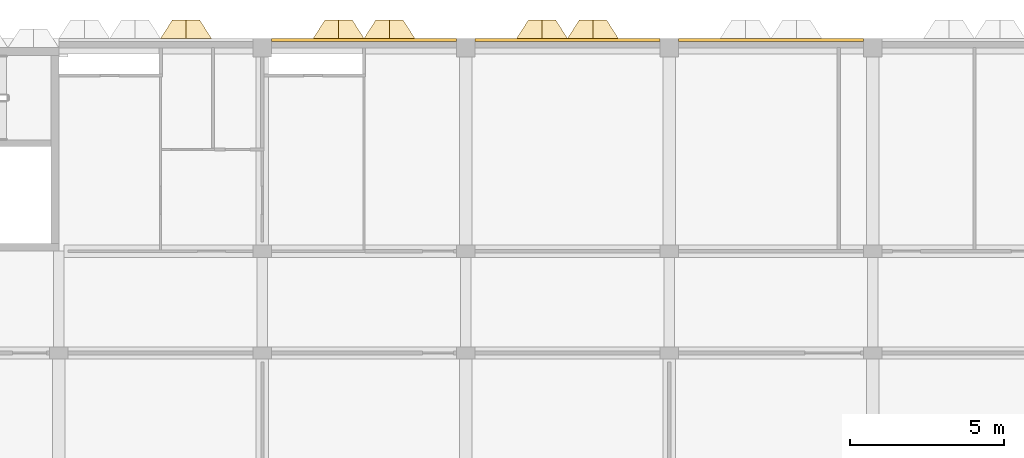
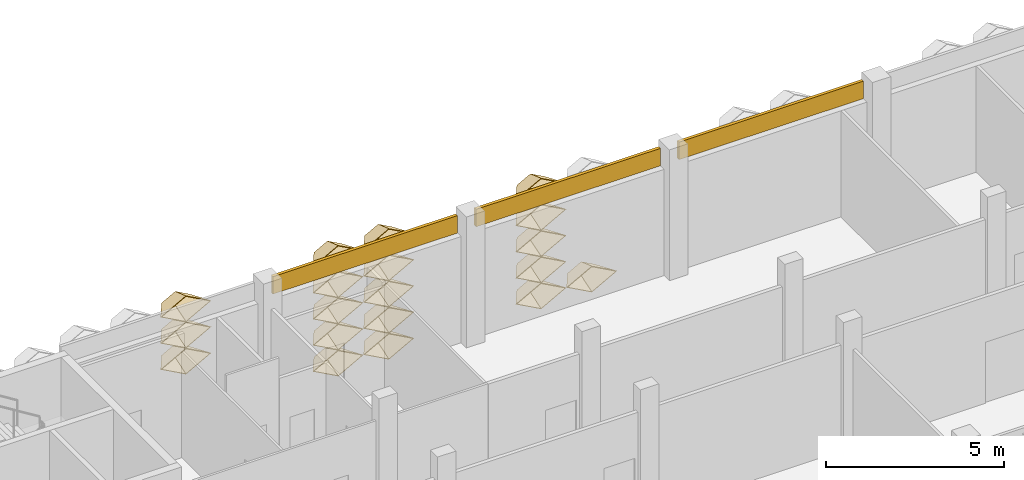
# One storey, part 92 of 109: 22 coverings.
"""IFC4 building model written with IfcOpenShell, lengths in metres."""

import ifcopenshell
import ifcopenshell.guid

model = None  # the IFC model being written
_history = None  # IfcOwnerHistory: only IFC2X3 demands one
_inside = {}  # id of a spatial element -> (the spatial element, [elements in it])
_under = {}  # id of a project, library or spatial element -> (it, [spatial elements below it])
_declared = {}  # id of a project -> (the project, [libraries it declares])
_typed = {}  # id of a type object -> (the type object, [elements of that type])
_made_of = {}  # id of a material, layer set ... -> (it, [elements and type objects made of it])


def new_model(schema):
    """Start an empty IFC model of exactly this schema.

    Asked for "IFC4X3", IfcOpenShell would pick the latest addendum, in which some entities
    have other attributes; the version numbers below select the first issue.
    IFC2X3 requires an IfcOwnerHistory on every rooted entity: one is made here for all.
    """
    global model, _history
    if schema == "IFC4X3":
        model = ifcopenshell.file(schema_version=(4, 3, 0, 0))
    else:
        model = ifcopenshell.file(schema=schema)
    _inside.clear()
    _under.clear()
    _declared.clear()
    _typed.clear()
    _made_of.clear()
    _history = None
    if model.schema == "IFC2X3":
        org = make("IfcOrganization", Name="unknown")
        user = make(
            "IfcPersonAndOrganization",
            ThePerson=make("IfcPerson", FamilyName="unknown"),
            TheOrganization=org,
        )
        app = make(
            "IfcApplication",
            ApplicationDeveloper=org,
            Version="unknown",
            ApplicationFullName="unknown",
            ApplicationIdentifier="unknown",
        )
        _history = make(
            "IfcOwnerHistory",
            OwningUser=user,
            OwningApplication=app,
            ChangeAction="ADDED",
            CreationDate=0,
        )
    return model


def make(cls, **values):
    """One entity of the class cls with the attributes given. An attribute that is None is left unset."""
    return model.create_entity(
        cls, **{name: value for name, value in values.items() if value is not None}
    )


def entity(cls, *values):
    """Any entity or typed value of the class cls, its attributes in the order of the schema. None: left unset."""
    e = model.create_entity(cls)
    for i, value in enumerate(values):
        if value is not None:
            e[i] = value
    return e


def rooted(cls, **values):
    """An entity with a GlobalId (a new one), such as an element, a storey or a relation."""
    return make(cls, GlobalId=ifcopenshell.guid.new(), OwnerHistory=_history, **values)


def si_unit(unit_type, name, prefix=None):
    """IfcSIUnit, for example si_unit("LENGTHUNIT", "METRE", prefix="MILLI")."""
    return make("IfcSIUnit", UnitType=unit_type, Prefix=prefix, Name=name)


def assignment(units):
    """IfcUnitAssignment: the units of a project."""
    return None if units is None else make("IfcUnitAssignment", Units=units)


def point(xyz):
    """IfcCartesianPoint."""
    return None if xyz is None else make("IfcCartesianPoint", Coordinates=xyz)


def direction(xyz):
    """IfcDirection."""
    return None if xyz is None else make("IfcDirection", DirectionRatios=xyz)


def frame(location, z_axis=None, x_axis=None):
    """IfcAxis2Placement3D, a coordinate frame: its origin and axes. An axis left out is left unset."""
    return make(
        "IfcAxis2Placement3D",
        Location=point(location),
        Axis=direction(z_axis),
        RefDirection=direction(x_axis),
    )


def frame_2d(location, x_axis=None):
    """IfcAxis2Placement2D, a coordinate frame in the plane: its origin and x axis."""
    return make(
        "IfcAxis2Placement2D", Location=point(location), RefDirection=direction(x_axis)
    )


def origin():
    """The frame at (0, 0, 0) with its axes left unset."""
    return frame((0.0, 0.0, 0.0))


def place(relative_to, where):
    """IfcLocalPlacement: puts the frame where relative to a parent placement (None: the world)."""
    return make(
        "IfcLocalPlacement", PlacementRelTo=relative_to, RelativePlacement=where
    )


def context(
    kind, dimensions, precision=None, world=None, true_north=None, identifier=None
):
    """IfcGeometricRepresentationContext, for example the 3D "Model" context."""
    return make(
        "IfcGeometricRepresentationContext",
        ContextIdentifier=identifier,
        ContextType=kind,
        CoordinateSpaceDimension=dimensions,
        Precision=precision,
        WorldCoordinateSystem=world,
        TrueNorth=true_north,
    )


def subcontext(parent, identifier, kind, view, scale=None):
    """IfcGeometricRepresentationSubContext, for example "Body" below "Model"."""
    return make(
        "IfcGeometricRepresentationSubContext",
        ContextIdentifier=identifier,
        ContextType=kind,
        ParentContext=parent,
        TargetScale=scale,
        TargetView=view,
    )


def project(units=None, contexts=None):
    """IfcProject with its units and contexts."""
    return rooted(
        "IfcProject",
        Name="project",
        RepresentationContexts=contexts,
        UnitsInContext=assignment(units),
    )


def spatial(cls, under=None, at=None, **own):
    """A site, building, storey or space (cls), placed at a placement, below another one or the project."""
    s = rooted(cls, ObjectPlacement=at, **own)
    if under is not None:
        _under.setdefault(under.id(), (under, []))[1].append(s)
    return s


def profile(cls, at=None, kind="AREA", **sizes):
    """A parametric profile (cls). Its sizes go by their IFC names, for example OverallWidth=200.0."""
    return make(cls, ProfileType=kind, Position=at, **sizes)


def rectangle(**sizes):
    """IfcRectangleProfileDef."""
    return profile("IfcRectangleProfileDef", **sizes)


def extrude(swept, where, along, depth):
    """IfcExtrudedAreaSolid: the profile swept, set in the frame where, extruded along a direction by depth."""
    return make(
        "IfcExtrudedAreaSolid",
        SweptArea=swept,
        Position=where,
        ExtrudedDirection=direction(along),
        Depth=depth,
    )


def shape(context_of_items, identifier, shape_type, items):
    """IfcShapeRepresentation: the items that make up one representation, for example the "Body"."""
    return make(
        "IfcShapeRepresentation",
        ContextOfItems=context_of_items,
        RepresentationIdentifier=identifier,
        RepresentationType=shape_type,
        Items=items,
    )


def material(Name=None, Category=None):
    """IfcMaterial."""
    return make("IfcMaterial", Name=Name, Category=Category)


def layer(
    of_material, thickness, ventilated=None, Name=None, Category=None, Priority=None
):
    """IfcMaterialLayer: one layer of a wall or slab, of a material (None: an air gap)."""
    return make(
        "IfcMaterialLayer",
        Material=of_material,
        LayerThickness=thickness,
        IsVentilated=ventilated,
        Name=Name,
        Category=Category,
        Priority=Priority,
    )


def layer_set(layers, Name=None):
    """IfcMaterialLayerSet."""
    return make("IfcMaterialLayerSet", MaterialLayers=layers, LayerSetName=Name)


def made_of(thing, what):
    """Note that an element or type object is made of a material, layer set ...; save() writes the relation."""
    if what is not None:
        _made_of.setdefault(what.id(), (what, []))[1].append(thing)
    return thing


def type_object(cls, material=None, **own):
    """A type object (cls), such as IfcWallType, which elements share."""
    return made_of(rooted(cls, **own), material)


def element(
    cls,
    number,
    at=None,
    inside=None,
    cuts=None,
    type_object=None,
    material=None,
    context=None,
    identifier="Body",
    shape_type=None,
    held_by="IfcProductDefinitionShape",
    body=None,
    shapes=None,
    **own,
):
    """One element of the class cls, such as IfcWall. Its Tag is "e" and its number.

    at: its placement. inside: the storey or other place that contains it. cuts: it is an
    opening in that element (IfcRelVoidsElement). A single representation is given by context,
    identifier, shape_type and body (its items); several are given by shapes. held_by: the class
    of the entity that holds the representations. save() writes the other relations.
    """
    e = rooted(cls, Tag="e%d" % number, ObjectPlacement=at, **own)
    if body is not None:
        shapes = [shape(context, identifier, shape_type, body)]
    if shapes is not None:
        e.Representation = make(held_by, Representations=shapes)
    if inside is not None:
        _inside.setdefault(inside.id(), (inside, []))[1].append(e)
    if cuts is not None:
        rooted(
            "IfcRelVoidsElement", RelatingBuildingElement=cuts, RelatedOpeningElement=e
        )
    if type_object is not None:
        _typed.setdefault(type_object.id(), (type_object, []))[1].append(e)
    return made_of(e, material)


def aggregate(whole, parts):
    """IfcRelAggregates: a whole, such as a stair, and the parts it consists of."""
    return rooted("IfcRelAggregates", RelatingObject=whole, RelatedObjects=parts)


def save(model, path):
    """Write the relations noted so far, then the file.

    IfcRelAggregates (storeys below a building ...), IfcRelContainedInSpatialStructure (elements
    in a storey), IfcRelDefinesByType, IfcRelAssociatesMaterial and IfcRelDeclares: one each for
    every whole, place, type object, material and project.
    """
    for whole, parts in _under.values():
        aggregate(whole, parts)
    for where, things in _inside.values():
        rooted(
            "IfcRelContainedInSpatialStructure",
            RelatedElements=things,
            RelatingStructure=where,
        )
    for kind, things in _typed.values():
        rooted("IfcRelDefinesByType", RelatedObjects=things, RelatingType=kind)
    for what, things in _made_of.values():
        rooted("IfcRelAssociatesMaterial", RelatedObjects=things, RelatingMaterial=what)
    for by, libraries in _declared.values():
        rooted("IfcRelDeclares", RelatingContext=by, RelatedDefinitions=libraries)
    model.write(path)


model = new_model("IFC4")

# Units and contexts
model_context = context("Model", 3, precision=1e-05, world=origin(), true_north=direction((0.0, 1.0)))
body_context = subcontext(model_context, "Body", "Model", "MODEL_VIEW")
ifc_project = project(units=[si_unit("LENGTHUNIT", "METRE"), si_unit("AREAUNIT", "SQUARE_METRE"), si_unit("VOLUMEUNIT", "CUBIC_METRE"), si_unit("PLANEANGLEUNIT", "RADIAN"), si_unit("MASSUNIT", "GRAM", prefix="KILO")], contexts=[model_context])

# Site, building, storey
site_placement = place(None, origin())
site = spatial("IfcSite", under=ifc_project, at=site_placement, CompositionType="ELEMENT")
building_placement = place(site_placement, origin())
building = spatial("IfcBuilding", under=site, at=building_placement, Name="Lantern Court Research Institute", CompositionType="ELEMENT")
storey_placement = place(building_placement, frame((0.0, 0.0, 14.39990234375)))
storey = spatial("IfcBuildingStorey", under=building, at=storey_placement, Name="L03", CompositionType="ELEMENT", Elevation=14.39990234375)

# Coverings
ifc_material_1 = material(Name="Aluminium composite panel with mineral wool insulation", Category="aluminium")
ifc_layer_1 = layer(ifc_material_1, 0.10009765625)
ifc_layer_set_1 = layer_set([ifc_layer_1], Name="Aluminium composite panel with mineral wool insulation")
covering_type_1 = type_object("IfcCoveringType", Name="Edge fascia panel 100 aluminium faced", PredefinedType="CLADDING", material=ifc_layer_set_1)
for number, where, z_axis, x_axis, name in (
    (1, (13.5, 99.25, 3.650146484375), (0.0, 0.0, 1.0), (1.0, 0.0, 0.0), "Edge fascia V6N L03 02"),
    (2, (20.10009765625, 99.25, 3.650146484375), (0.0, 0.0, 1.0), (1.0, 0.0, 0.0), "Edge fascia V6N L03 03"),
    (3, (26.699951171875, 99.25, 3.650146484375), (0.0, 0.0, 1.0), (1.0, 0.0, 0.0), "Edge fascia V6N L03 04"),
):
    element("IfcCovering", number, at=place(storey_placement, frame(where, z_axis=z_axis, x_axis=x_axis)), inside=storey, type_object=covering_type_1, Name=name, PredefinedType="CLADDING", context=body_context, shape_type="SweptSolid", body=[
        extrude(rectangle(XDim=6.0, YDim=0.10009765625, at=frame_2d((3.0, 0.0))), origin(), (0.0, 0.0, 1.0), 0.599853515625),
    ])
ifc_material_2 = material(Name="Anodised aluminium", Category="aluminium")
ifc_layer_2 = layer(ifc_material_2, 0.01611328125)
ifc_layer_set_2 = layer_set([ifc_layer_2], Name="Anodised aluminium")
covering_type_2 = type_object("IfcCoveringType", Name="Fin cassette 1650 x 900 x 600 aluminium", PredefinedType="CLADDING", material=ifc_layer_set_2)
covering_1_placement = place(storey_placement, frame((15.675048828125, 99.300048828125, 0.4501953125), z_axis=(0.0, 1.0, 0.0), x_axis=(-1.0, 0.0, 0.0)))
cartesian_point_1 = entity("IfcCartesianPoint", [0.824951171875, 0.0])
cartesian_point_2 = entity("IfcCartesianPoint", [0.79150390625, 0.0])
cartesian_point_3 = entity("IfcCartesianPoint", [0.44189453125, 0.0])
cartesian_point_4 = entity("IfcCartesianPoint", [0.43359375, 0.0])
element("IfcCovering", 4, at=covering_1_placement, inside=storey, type_object=covering_type_2, Name="Fin cassette V6N-L03 1.10", PredefinedType="CLADDING", context=body_context, shape_type="SweptSolid", body=[
    entity("IfcExtrudedAreaSolidTapered", entity("IfcArbitraryProfileDefWithVoids", "AREA", None, entity("IfcPolyline", [cartesian_point_1, entity("IfcCartesianPoint", [0.0, 0.449951171875]), entity("IfcCartesianPoint", [-0.824951171875, 0.0]), entity("IfcCartesianPoint", [0.0, -0.449951171875]), cartesian_point_1]), [entity("IfcPolyline", [cartesian_point_2, entity("IfcCartesianPoint", [0.0, 0.431884765625]), entity("IfcCartesianPoint", [-0.79150390625, 0.0]), entity("IfcCartesianPoint", [0.0, -0.431884765625]), cartesian_point_2])]), entity("IfcAxis2Placement3D", entity("IfcCartesianPoint", [0.0, 0.0, 0.0])), entity("IfcDirection", [0.0, 0.0, 1.0]), 0.60009765625, entity("IfcArbitraryProfileDefWithVoids", "AREA", None, entity("IfcPolyline", [cartesian_point_3, entity("IfcCartesianPoint", [0.0, 0.240966796875]), entity("IfcCartesianPoint", [-0.44189453125, 0.0]), entity("IfcCartesianPoint", [0.0, -0.240966796875]), cartesian_point_3]), [entity("IfcPolyline", [cartesian_point_4, entity("IfcCartesianPoint", [0.0, 0.236572265625]), entity("IfcCartesianPoint", [-0.43359375, 0.0]), entity("IfcCartesianPoint", [0.0, -0.236572265625]), cartesian_point_4])])),
])
covering_2_placement = place(storey_placement, frame((17.324951171875, 99.300048828125, 0.4501953125), z_axis=(0.0, 1.0, 0.0), x_axis=(-1.0, 0.0, 0.0)))
cartesian_point_5 = entity("IfcCartesianPoint", [0.824951171875, 0.0])
cartesian_point_6 = entity("IfcCartesianPoint", [0.79150390625, 0.0])
cartesian_point_7 = entity("IfcCartesianPoint", [0.44189453125, 0.0])
cartesian_point_8 = entity("IfcCartesianPoint", [0.43359375, 0.0])
element("IfcCovering", 5, at=covering_2_placement, inside=storey, type_object=covering_type_2, Name="Fin cassette V6N-L03 1.11", PredefinedType="CLADDING", context=body_context, shape_type="SweptSolid", body=[
    entity("IfcExtrudedAreaSolidTapered", entity("IfcArbitraryProfileDefWithVoids", "AREA", None, entity("IfcPolyline", [cartesian_point_5, entity("IfcCartesianPoint", [0.0, 0.449951171875]), entity("IfcCartesianPoint", [-0.824951171875, 0.0]), entity("IfcCartesianPoint", [0.0, -0.449951171875]), cartesian_point_5]), [entity("IfcPolyline", [cartesian_point_6, entity("IfcCartesianPoint", [0.0, 0.431884765625]), entity("IfcCartesianPoint", [-0.79150390625, 0.0]), entity("IfcCartesianPoint", [0.0, -0.431884765625]), cartesian_point_6])]), entity("IfcAxis2Placement3D", entity("IfcCartesianPoint", [0.0, 0.0, 0.0])), entity("IfcDirection", [0.0, 0.0, 1.0]), 0.60009765625, entity("IfcArbitraryProfileDefWithVoids", "AREA", None, entity("IfcPolyline", [cartesian_point_7, entity("IfcCartesianPoint", [0.0, 0.240966796875]), entity("IfcCartesianPoint", [-0.44189453125, 0.0]), entity("IfcCartesianPoint", [0.0, -0.240966796875]), cartesian_point_7]), [entity("IfcPolyline", [cartesian_point_8, entity("IfcCartesianPoint", [0.0, 0.236572265625]), entity("IfcCartesianPoint", [-0.43359375, 0.0]), entity("IfcCartesianPoint", [0.0, -0.236572265625]), cartesian_point_8])])),
])
covering_3_placement = place(storey_placement, frame((22.27490234375, 99.300048828125, 0.4501953125), z_axis=(0.0, 1.0, 0.0), x_axis=(-1.0, 0.0, 0.0)))
cartesian_point_9 = entity("IfcCartesianPoint", [0.824951171875, 0.0])
cartesian_point_10 = entity("IfcCartesianPoint", [0.79150390625, 0.0])
cartesian_point_11 = entity("IfcCartesianPoint", [0.44189453125, 0.0])
cartesian_point_12 = entity("IfcCartesianPoint", [0.43359375, 0.0])
element("IfcCovering", 6, at=covering_3_placement, inside=storey, type_object=covering_type_2, Name="Fin cassette V6N-L03 1.14", PredefinedType="CLADDING", context=body_context, shape_type="SweptSolid", body=[
    entity("IfcExtrudedAreaSolidTapered", entity("IfcArbitraryProfileDefWithVoids", "AREA", None, entity("IfcPolyline", [cartesian_point_9, entity("IfcCartesianPoint", [0.0, 0.449951171875]), entity("IfcCartesianPoint", [-0.824951171875, 0.0]), entity("IfcCartesianPoint", [0.0, -0.449951171875]), cartesian_point_9]), [entity("IfcPolyline", [cartesian_point_10, entity("IfcCartesianPoint", [0.0, 0.431884765625]), entity("IfcCartesianPoint", [-0.79150390625, 0.0]), entity("IfcCartesianPoint", [0.0, -0.431884765625]), cartesian_point_10])]), entity("IfcAxis2Placement3D", entity("IfcCartesianPoint", [0.0, 0.0, 0.0])), entity("IfcDirection", [0.0, 0.0, 1.0]), 0.60009765625, entity("IfcArbitraryProfileDefWithVoids", "AREA", None, entity("IfcPolyline", [cartesian_point_11, entity("IfcCartesianPoint", [0.0, 0.240966796875]), entity("IfcCartesianPoint", [-0.44189453125, 0.0]), entity("IfcCartesianPoint", [0.0, -0.240966796875]), cartesian_point_11]), [entity("IfcPolyline", [cartesian_point_12, entity("IfcCartesianPoint", [0.0, 0.236572265625]), entity("IfcCartesianPoint", [-0.43359375, 0.0]), entity("IfcCartesianPoint", [0.0, -0.236572265625]), cartesian_point_12])])),
])
covering_4_placement = place(storey_placement, frame((23.925048828125, 99.300048828125, 0.4501953125), z_axis=(0.0, 1.0, 0.0), x_axis=(-1.0, 0.0, 0.0)))
cartesian_point_13 = entity("IfcCartesianPoint", [0.824951171875, 0.0])
cartesian_point_14 = entity("IfcCartesianPoint", [0.79150390625, 0.0])
cartesian_point_15 = entity("IfcCartesianPoint", [0.44189453125, 0.0])
cartesian_point_16 = entity("IfcCartesianPoint", [0.43359375, 0.0])
element("IfcCovering", 7, at=covering_4_placement, inside=storey, type_object=covering_type_2, Name="Fin cassette V6N-L03 1.15", PredefinedType="CLADDING", context=body_context, shape_type="SweptSolid", body=[
    entity("IfcExtrudedAreaSolidTapered", entity("IfcArbitraryProfileDefWithVoids", "AREA", None, entity("IfcPolyline", [cartesian_point_13, entity("IfcCartesianPoint", [0.0, 0.449951171875]), entity("IfcCartesianPoint", [-0.824951171875, 0.0]), entity("IfcCartesianPoint", [0.0, -0.449951171875]), cartesian_point_13]), [entity("IfcPolyline", [cartesian_point_14, entity("IfcCartesianPoint", [0.0, 0.431884765625]), entity("IfcCartesianPoint", [-0.79150390625, 0.0]), entity("IfcCartesianPoint", [0.0, -0.431884765625]), cartesian_point_14])]), entity("IfcAxis2Placement3D", entity("IfcCartesianPoint", [0.0, 0.0, 0.0])), entity("IfcDirection", [0.0, 0.0, 1.0]), 0.60009765625, entity("IfcArbitraryProfileDefWithVoids", "AREA", None, entity("IfcPolyline", [cartesian_point_15, entity("IfcCartesianPoint", [0.0, 0.240966796875]), entity("IfcCartesianPoint", [-0.44189453125, 0.0]), entity("IfcCartesianPoint", [0.0, -0.240966796875]), cartesian_point_15]), [entity("IfcPolyline", [cartesian_point_16, entity("IfcCartesianPoint", [0.0, 0.236572265625]), entity("IfcCartesianPoint", [-0.43359375, 0.0]), entity("IfcCartesianPoint", [0.0, -0.236572265625]), cartesian_point_16])])),
])
covering_5_placement = place(storey_placement, frame((15.675048828125, 99.300048828125, 1.35009765625), z_axis=(0.0, 1.0, 0.0), x_axis=(-1.0, 0.0, 0.0)))
cartesian_point_17 = entity("IfcCartesianPoint", [0.824951171875, 0.0])
cartesian_point_18 = entity("IfcCartesianPoint", [0.79150390625, 0.0])
cartesian_point_19 = entity("IfcCartesianPoint", [0.44189453125, 0.0])
cartesian_point_20 = entity("IfcCartesianPoint", [0.43359375, 0.0])
element("IfcCovering", 8, at=covering_5_placement, inside=storey, type_object=covering_type_2, Name="Fin cassette V6N-L03 2.10", PredefinedType="CLADDING", context=body_context, shape_type="SweptSolid", body=[
    entity("IfcExtrudedAreaSolidTapered", entity("IfcArbitraryProfileDefWithVoids", "AREA", None, entity("IfcPolyline", [cartesian_point_17, entity("IfcCartesianPoint", [0.0, 0.449951171875]), entity("IfcCartesianPoint", [-0.824951171875, 0.0]), entity("IfcCartesianPoint", [0.0, -0.449951171875]), cartesian_point_17]), [entity("IfcPolyline", [cartesian_point_18, entity("IfcCartesianPoint", [0.0, 0.431884765625]), entity("IfcCartesianPoint", [-0.79150390625, 0.0]), entity("IfcCartesianPoint", [0.0, -0.431884765625]), cartesian_point_18])]), entity("IfcAxis2Placement3D", entity("IfcCartesianPoint", [0.0, 0.0, 0.0])), entity("IfcDirection", [0.0, 0.0, 1.0]), 0.60009765625, entity("IfcArbitraryProfileDefWithVoids", "AREA", None, entity("IfcPolyline", [cartesian_point_19, entity("IfcCartesianPoint", [0.0, 0.240966796875]), entity("IfcCartesianPoint", [-0.44189453125, 0.0]), entity("IfcCartesianPoint", [0.0, -0.240966796875]), cartesian_point_19]), [entity("IfcPolyline", [cartesian_point_20, entity("IfcCartesianPoint", [0.0, 0.236572265625]), entity("IfcCartesianPoint", [-0.43359375, 0.0]), entity("IfcCartesianPoint", [0.0, -0.236572265625]), cartesian_point_20])])),
])
covering_6_placement = place(storey_placement, frame((17.324951171875, 99.300048828125, 1.35009765625), z_axis=(0.0, 1.0, 0.0), x_axis=(-1.0, 0.0, 0.0)))
cartesian_point_21 = entity("IfcCartesianPoint", [0.824951171875, 0.0])
cartesian_point_22 = entity("IfcCartesianPoint", [0.79150390625, 0.0])
cartesian_point_23 = entity("IfcCartesianPoint", [0.44189453125, 0.0])
cartesian_point_24 = entity("IfcCartesianPoint", [0.43359375, 0.0])
element("IfcCovering", 9, at=covering_6_placement, inside=storey, type_object=covering_type_2, Name="Fin cassette V6N-L03 2.11", PredefinedType="CLADDING", context=body_context, shape_type="SweptSolid", body=[
    entity("IfcExtrudedAreaSolidTapered", entity("IfcArbitraryProfileDefWithVoids", "AREA", None, entity("IfcPolyline", [cartesian_point_21, entity("IfcCartesianPoint", [0.0, 0.449951171875]), entity("IfcCartesianPoint", [-0.824951171875, 0.0]), entity("IfcCartesianPoint", [0.0, -0.449951171875]), cartesian_point_21]), [entity("IfcPolyline", [cartesian_point_22, entity("IfcCartesianPoint", [0.0, 0.431884765625]), entity("IfcCartesianPoint", [-0.79150390625, 0.0]), entity("IfcCartesianPoint", [0.0, -0.431884765625]), cartesian_point_22])]), entity("IfcAxis2Placement3D", entity("IfcCartesianPoint", [0.0, 0.0, 0.0])), entity("IfcDirection", [0.0, 0.0, 1.0]), 0.60009765625, entity("IfcArbitraryProfileDefWithVoids", "AREA", None, entity("IfcPolyline", [cartesian_point_23, entity("IfcCartesianPoint", [0.0, 0.240966796875]), entity("IfcCartesianPoint", [-0.44189453125, 0.0]), entity("IfcCartesianPoint", [0.0, -0.240966796875]), cartesian_point_23]), [entity("IfcPolyline", [cartesian_point_24, entity("IfcCartesianPoint", [0.0, 0.236572265625]), entity("IfcCartesianPoint", [-0.43359375, 0.0]), entity("IfcCartesianPoint", [0.0, -0.236572265625]), cartesian_point_24])])),
])
covering_7_placement = place(storey_placement, frame((22.27490234375, 99.300048828125, 1.35009765625), z_axis=(0.0, 1.0, 0.0), x_axis=(-1.0, 0.0, 0.0)))
cartesian_point_25 = entity("IfcCartesianPoint", [0.824951171875, 0.0])
cartesian_point_26 = entity("IfcCartesianPoint", [0.79150390625, 0.0])
cartesian_point_27 = entity("IfcCartesianPoint", [0.44189453125, 0.0])
cartesian_point_28 = entity("IfcCartesianPoint", [0.43359375, 0.0])
element("IfcCovering", 10, at=covering_7_placement, inside=storey, type_object=covering_type_2, Name="Fin cassette V6N-L03 2.14", PredefinedType="CLADDING", context=body_context, shape_type="SweptSolid", body=[
    entity("IfcExtrudedAreaSolidTapered", entity("IfcArbitraryProfileDefWithVoids", "AREA", None, entity("IfcPolyline", [cartesian_point_25, entity("IfcCartesianPoint", [0.0, 0.449951171875]), entity("IfcCartesianPoint", [-0.824951171875, 0.0]), entity("IfcCartesianPoint", [0.0, -0.449951171875]), cartesian_point_25]), [entity("IfcPolyline", [cartesian_point_26, entity("IfcCartesianPoint", [0.0, 0.431884765625]), entity("IfcCartesianPoint", [-0.79150390625, 0.0]), entity("IfcCartesianPoint", [0.0, -0.431884765625]), cartesian_point_26])]), entity("IfcAxis2Placement3D", entity("IfcCartesianPoint", [0.0, 0.0, 0.0])), entity("IfcDirection", [0.0, 0.0, 1.0]), 0.60009765625, entity("IfcArbitraryProfileDefWithVoids", "AREA", None, entity("IfcPolyline", [cartesian_point_27, entity("IfcCartesianPoint", [0.0, 0.240966796875]), entity("IfcCartesianPoint", [-0.44189453125, 0.0]), entity("IfcCartesianPoint", [0.0, -0.240966796875]), cartesian_point_27]), [entity("IfcPolyline", [cartesian_point_28, entity("IfcCartesianPoint", [0.0, 0.236572265625]), entity("IfcCartesianPoint", [-0.43359375, 0.0]), entity("IfcCartesianPoint", [0.0, -0.236572265625]), cartesian_point_28])])),
])
covering_8_placement = place(storey_placement, frame((10.72509765625, 99.300048828125, 2.25), z_axis=(0.0, 1.0, 0.0), x_axis=(-1.0, 0.0, 0.0)))
cartesian_point_29 = entity("IfcCartesianPoint", [0.824951171875, 0.0])
cartesian_point_30 = entity("IfcCartesianPoint", [0.79150390625, 0.0])
cartesian_point_31 = entity("IfcCartesianPoint", [0.44189453125, 0.0])
cartesian_point_32 = entity("IfcCartesianPoint", [0.43359375, 0.0])
element("IfcCovering", 11, at=covering_8_placement, inside=storey, type_object=covering_type_2, Name="Fin cassette V6N-L03 3.7", PredefinedType="CLADDING", context=body_context, shape_type="SweptSolid", body=[
    entity("IfcExtrudedAreaSolidTapered", entity("IfcArbitraryProfileDefWithVoids", "AREA", None, entity("IfcPolyline", [cartesian_point_29, entity("IfcCartesianPoint", [0.0, 0.449951171875]), entity("IfcCartesianPoint", [-0.824951171875, 0.0]), entity("IfcCartesianPoint", [0.0, -0.449951171875]), cartesian_point_29]), [entity("IfcPolyline", [cartesian_point_30, entity("IfcCartesianPoint", [0.0, 0.431884765625]), entity("IfcCartesianPoint", [-0.79150390625, 0.0]), entity("IfcCartesianPoint", [0.0, -0.431884765625]), cartesian_point_30])]), entity("IfcAxis2Placement3D", entity("IfcCartesianPoint", [0.0, 0.0, 0.0])), entity("IfcDirection", [0.0, 0.0, 1.0]), 0.60009765625, entity("IfcArbitraryProfileDefWithVoids", "AREA", None, entity("IfcPolyline", [cartesian_point_31, entity("IfcCartesianPoint", [0.0, 0.240966796875]), entity("IfcCartesianPoint", [-0.44189453125, 0.0]), entity("IfcCartesianPoint", [0.0, -0.240966796875]), cartesian_point_31]), [entity("IfcPolyline", [cartesian_point_32, entity("IfcCartesianPoint", [0.0, 0.236572265625]), entity("IfcCartesianPoint", [-0.43359375, 0.0]), entity("IfcCartesianPoint", [0.0, -0.236572265625]), cartesian_point_32])])),
])
covering_9_placement = place(storey_placement, frame((15.675048828125, 99.300048828125, 2.25), z_axis=(0.0, 1.0, 0.0), x_axis=(-1.0, 0.0, 0.0)))
cartesian_point_33 = entity("IfcCartesianPoint", [0.824951171875, 0.0])
cartesian_point_34 = entity("IfcCartesianPoint", [0.79150390625, 0.0])
cartesian_point_35 = entity("IfcCartesianPoint", [0.44189453125, 0.0])
cartesian_point_36 = entity("IfcCartesianPoint", [0.43359375, 0.0])
element("IfcCovering", 12, at=covering_9_placement, inside=storey, type_object=covering_type_2, Name="Fin cassette V6N-L03 3.10", PredefinedType="CLADDING", context=body_context, shape_type="SweptSolid", body=[
    entity("IfcExtrudedAreaSolidTapered", entity("IfcArbitraryProfileDefWithVoids", "AREA", None, entity("IfcPolyline", [cartesian_point_33, entity("IfcCartesianPoint", [0.0, 0.449951171875]), entity("IfcCartesianPoint", [-0.824951171875, 0.0]), entity("IfcCartesianPoint", [0.0, -0.449951171875]), cartesian_point_33]), [entity("IfcPolyline", [cartesian_point_34, entity("IfcCartesianPoint", [0.0, 0.431884765625]), entity("IfcCartesianPoint", [-0.79150390625, 0.0]), entity("IfcCartesianPoint", [0.0, -0.431884765625]), cartesian_point_34])]), entity("IfcAxis2Placement3D", entity("IfcCartesianPoint", [0.0, 0.0, 0.0])), entity("IfcDirection", [0.0, 0.0, 1.0]), 0.60009765625, entity("IfcArbitraryProfileDefWithVoids", "AREA", None, entity("IfcPolyline", [cartesian_point_35, entity("IfcCartesianPoint", [0.0, 0.240966796875]), entity("IfcCartesianPoint", [-0.44189453125, 0.0]), entity("IfcCartesianPoint", [0.0, -0.240966796875]), cartesian_point_35]), [entity("IfcPolyline", [cartesian_point_36, entity("IfcCartesianPoint", [0.0, 0.236572265625]), entity("IfcCartesianPoint", [-0.43359375, 0.0]), entity("IfcCartesianPoint", [0.0, -0.236572265625]), cartesian_point_36])])),
])
covering_10_placement = place(storey_placement, frame((17.324951171875, 99.300048828125, 2.25), z_axis=(0.0, 1.0, 0.0), x_axis=(-1.0, 0.0, 0.0)))
cartesian_point_37 = entity("IfcCartesianPoint", [0.824951171875, 0.0])
cartesian_point_38 = entity("IfcCartesianPoint", [0.79150390625, 0.0])
cartesian_point_39 = entity("IfcCartesianPoint", [0.44189453125, 0.0])
cartesian_point_40 = entity("IfcCartesianPoint", [0.43359375, 0.0])
element("IfcCovering", 13, at=covering_10_placement, inside=storey, type_object=covering_type_2, Name="Fin cassette V6N-L03 3.11", PredefinedType="CLADDING", context=body_context, shape_type="SweptSolid", body=[
    entity("IfcExtrudedAreaSolidTapered", entity("IfcArbitraryProfileDefWithVoids", "AREA", None, entity("IfcPolyline", [cartesian_point_37, entity("IfcCartesianPoint", [0.0, 0.449951171875]), entity("IfcCartesianPoint", [-0.824951171875, 0.0]), entity("IfcCartesianPoint", [0.0, -0.449951171875]), cartesian_point_37]), [entity("IfcPolyline", [cartesian_point_38, entity("IfcCartesianPoint", [0.0, 0.431884765625]), entity("IfcCartesianPoint", [-0.79150390625, 0.0]), entity("IfcCartesianPoint", [0.0, -0.431884765625]), cartesian_point_38])]), entity("IfcAxis2Placement3D", entity("IfcCartesianPoint", [0.0, 0.0, 0.0])), entity("IfcDirection", [0.0, 0.0, 1.0]), 0.60009765625, entity("IfcArbitraryProfileDefWithVoids", "AREA", None, entity("IfcPolyline", [cartesian_point_39, entity("IfcCartesianPoint", [0.0, 0.240966796875]), entity("IfcCartesianPoint", [-0.44189453125, 0.0]), entity("IfcCartesianPoint", [0.0, -0.240966796875]), cartesian_point_39]), [entity("IfcPolyline", [cartesian_point_40, entity("IfcCartesianPoint", [0.0, 0.236572265625]), entity("IfcCartesianPoint", [-0.43359375, 0.0]), entity("IfcCartesianPoint", [0.0, -0.236572265625]), cartesian_point_40])])),
])
covering_11_placement = place(storey_placement, frame((22.27490234375, 99.300048828125, 2.25), z_axis=(0.0, 1.0, 0.0), x_axis=(-1.0, 0.0, 0.0)))
cartesian_point_41 = entity("IfcCartesianPoint", [0.824951171875, 0.0])
cartesian_point_42 = entity("IfcCartesianPoint", [0.79150390625, 0.0])
cartesian_point_43 = entity("IfcCartesianPoint", [0.44189453125, 0.0])
cartesian_point_44 = entity("IfcCartesianPoint", [0.43359375, 0.0])
element("IfcCovering", 14, at=covering_11_placement, inside=storey, type_object=covering_type_2, Name="Fin cassette V6N-L03 3.14", PredefinedType="CLADDING", context=body_context, shape_type="SweptSolid", body=[
    entity("IfcExtrudedAreaSolidTapered", entity("IfcArbitraryProfileDefWithVoids", "AREA", None, entity("IfcPolyline", [cartesian_point_41, entity("IfcCartesianPoint", [0.0, 0.449951171875]), entity("IfcCartesianPoint", [-0.824951171875, 0.0]), entity("IfcCartesianPoint", [0.0, -0.449951171875]), cartesian_point_41]), [entity("IfcPolyline", [cartesian_point_42, entity("IfcCartesianPoint", [0.0, 0.431884765625]), entity("IfcCartesianPoint", [-0.79150390625, 0.0]), entity("IfcCartesianPoint", [0.0, -0.431884765625]), cartesian_point_42])]), entity("IfcAxis2Placement3D", entity("IfcCartesianPoint", [0.0, 0.0, 0.0])), entity("IfcDirection", [0.0, 0.0, 1.0]), 0.60009765625, entity("IfcArbitraryProfileDefWithVoids", "AREA", None, entity("IfcPolyline", [cartesian_point_43, entity("IfcCartesianPoint", [0.0, 0.240966796875]), entity("IfcCartesianPoint", [-0.44189453125, 0.0]), entity("IfcCartesianPoint", [0.0, -0.240966796875]), cartesian_point_43]), [entity("IfcPolyline", [cartesian_point_44, entity("IfcCartesianPoint", [0.0, 0.236572265625]), entity("IfcCartesianPoint", [-0.43359375, 0.0]), entity("IfcCartesianPoint", [0.0, -0.236572265625]), cartesian_point_44])])),
])
covering_12_placement = place(storey_placement, frame((10.72509765625, 99.300048828125, 3.150146484375), z_axis=(0.0, 1.0, 0.0), x_axis=(-1.0, 0.0, 0.0)))
cartesian_point_45 = entity("IfcCartesianPoint", [0.824951171875, 0.0])
cartesian_point_46 = entity("IfcCartesianPoint", [0.79150390625, 0.0])
cartesian_point_47 = entity("IfcCartesianPoint", [0.44189453125, 0.0])
cartesian_point_48 = entity("IfcCartesianPoint", [0.43359375, 0.0])
element("IfcCovering", 15, at=covering_12_placement, inside=storey, type_object=covering_type_2, Name="Fin cassette V6N-L03 4.7", PredefinedType="CLADDING", context=body_context, shape_type="SweptSolid", body=[
    entity("IfcExtrudedAreaSolidTapered", entity("IfcArbitraryProfileDefWithVoids", "AREA", None, entity("IfcPolyline", [cartesian_point_45, entity("IfcCartesianPoint", [0.0, 0.449951171875]), entity("IfcCartesianPoint", [-0.824951171875, 0.0]), entity("IfcCartesianPoint", [0.0, -0.449951171875]), cartesian_point_45]), [entity("IfcPolyline", [cartesian_point_46, entity("IfcCartesianPoint", [0.0, 0.431884765625]), entity("IfcCartesianPoint", [-0.79150390625, 0.0]), entity("IfcCartesianPoint", [0.0, -0.431884765625]), cartesian_point_46])]), entity("IfcAxis2Placement3D", entity("IfcCartesianPoint", [0.0, 0.0, 0.0])), entity("IfcDirection", [0.0, 0.0, 1.0]), 0.60009765625, entity("IfcArbitraryProfileDefWithVoids", "AREA", None, entity("IfcPolyline", [cartesian_point_47, entity("IfcCartesianPoint", [0.0, 0.240966796875]), entity("IfcCartesianPoint", [-0.44189453125, 0.0]), entity("IfcCartesianPoint", [0.0, -0.240966796875]), cartesian_point_47]), [entity("IfcPolyline", [cartesian_point_48, entity("IfcCartesianPoint", [0.0, 0.236572265625]), entity("IfcCartesianPoint", [-0.43359375, 0.0]), entity("IfcCartesianPoint", [0.0, -0.236572265625]), cartesian_point_48])])),
])
covering_13_placement = place(storey_placement, frame((15.675048828125, 99.300048828125, 3.150146484375), z_axis=(0.0, 1.0, 0.0), x_axis=(-1.0, 0.0, 0.0)))
cartesian_point_49 = entity("IfcCartesianPoint", [0.824951171875, 0.0])
cartesian_point_50 = entity("IfcCartesianPoint", [0.79150390625, 0.0])
cartesian_point_51 = entity("IfcCartesianPoint", [0.44189453125, 0.0])
cartesian_point_52 = entity("IfcCartesianPoint", [0.43359375, 0.0])
element("IfcCovering", 16, at=covering_13_placement, inside=storey, type_object=covering_type_2, Name="Fin cassette V6N-L03 4.10", PredefinedType="CLADDING", context=body_context, shape_type="SweptSolid", body=[
    entity("IfcExtrudedAreaSolidTapered", entity("IfcArbitraryProfileDefWithVoids", "AREA", None, entity("IfcPolyline", [cartesian_point_49, entity("IfcCartesianPoint", [0.0, 0.449951171875]), entity("IfcCartesianPoint", [-0.824951171875, 0.0]), entity("IfcCartesianPoint", [0.0, -0.449951171875]), cartesian_point_49]), [entity("IfcPolyline", [cartesian_point_50, entity("IfcCartesianPoint", [0.0, 0.431884765625]), entity("IfcCartesianPoint", [-0.79150390625, 0.0]), entity("IfcCartesianPoint", [0.0, -0.431884765625]), cartesian_point_50])]), entity("IfcAxis2Placement3D", entity("IfcCartesianPoint", [0.0, 0.0, 0.0])), entity("IfcDirection", [0.0, 0.0, 1.0]), 0.60009765625, entity("IfcArbitraryProfileDefWithVoids", "AREA", None, entity("IfcPolyline", [cartesian_point_51, entity("IfcCartesianPoint", [0.0, 0.240966796875]), entity("IfcCartesianPoint", [-0.44189453125, 0.0]), entity("IfcCartesianPoint", [0.0, -0.240966796875]), cartesian_point_51]), [entity("IfcPolyline", [cartesian_point_52, entity("IfcCartesianPoint", [0.0, 0.236572265625]), entity("IfcCartesianPoint", [-0.43359375, 0.0]), entity("IfcCartesianPoint", [0.0, -0.236572265625]), cartesian_point_52])])),
])
covering_14_placement = place(storey_placement, frame((17.324951171875, 99.300048828125, 3.150146484375), z_axis=(0.0, 1.0, 0.0), x_axis=(-1.0, 0.0, 0.0)))
cartesian_point_53 = entity("IfcCartesianPoint", [0.824951171875, 0.0])
cartesian_point_54 = entity("IfcCartesianPoint", [0.79150390625, 0.0])
cartesian_point_55 = entity("IfcCartesianPoint", [0.44189453125, 0.0])
cartesian_point_56 = entity("IfcCartesianPoint", [0.43359375, 0.0])
element("IfcCovering", 17, at=covering_14_placement, inside=storey, type_object=covering_type_2, Name="Fin cassette V6N-L03 4.11", PredefinedType="CLADDING", context=body_context, shape_type="SweptSolid", body=[
    entity("IfcExtrudedAreaSolidTapered", entity("IfcArbitraryProfileDefWithVoids", "AREA", None, entity("IfcPolyline", [cartesian_point_53, entity("IfcCartesianPoint", [0.0, 0.449951171875]), entity("IfcCartesianPoint", [-0.824951171875, 0.0]), entity("IfcCartesianPoint", [0.0, -0.449951171875]), cartesian_point_53]), [entity("IfcPolyline", [cartesian_point_54, entity("IfcCartesianPoint", [0.0, 0.431884765625]), entity("IfcCartesianPoint", [-0.79150390625, 0.0]), entity("IfcCartesianPoint", [0.0, -0.431884765625]), cartesian_point_54])]), entity("IfcAxis2Placement3D", entity("IfcCartesianPoint", [0.0, 0.0, 0.0])), entity("IfcDirection", [0.0, 0.0, 1.0]), 0.60009765625, entity("IfcArbitraryProfileDefWithVoids", "AREA", None, entity("IfcPolyline", [cartesian_point_55, entity("IfcCartesianPoint", [0.0, 0.240966796875]), entity("IfcCartesianPoint", [-0.44189453125, 0.0]), entity("IfcCartesianPoint", [0.0, -0.240966796875]), cartesian_point_55]), [entity("IfcPolyline", [cartesian_point_56, entity("IfcCartesianPoint", [0.0, 0.236572265625]), entity("IfcCartesianPoint", [-0.43359375, 0.0]), entity("IfcCartesianPoint", [0.0, -0.236572265625]), cartesian_point_56])])),
])
covering_15_placement = place(storey_placement, frame((22.27490234375, 99.300048828125, 3.150146484375), z_axis=(0.0, 1.0, 0.0), x_axis=(-1.0, 0.0, 0.0)))
cartesian_point_57 = entity("IfcCartesianPoint", [0.824951171875, 0.0])
cartesian_point_58 = entity("IfcCartesianPoint", [0.79150390625, 0.0])
cartesian_point_59 = entity("IfcCartesianPoint", [0.44189453125, 0.0])
cartesian_point_60 = entity("IfcCartesianPoint", [0.43359375, 0.0])
element("IfcCovering", 18, at=covering_15_placement, inside=storey, type_object=covering_type_2, Name="Fin cassette V6N-L03 4.14", PredefinedType="CLADDING", context=body_context, shape_type="SweptSolid", body=[
    entity("IfcExtrudedAreaSolidTapered", entity("IfcArbitraryProfileDefWithVoids", "AREA", None, entity("IfcPolyline", [cartesian_point_57, entity("IfcCartesianPoint", [0.0, 0.449951171875]), entity("IfcCartesianPoint", [-0.824951171875, 0.0]), entity("IfcCartesianPoint", [0.0, -0.449951171875]), cartesian_point_57]), [entity("IfcPolyline", [cartesian_point_58, entity("IfcCartesianPoint", [0.0, 0.431884765625]), entity("IfcCartesianPoint", [-0.79150390625, 0.0]), entity("IfcCartesianPoint", [0.0, -0.431884765625]), cartesian_point_58])]), entity("IfcAxis2Placement3D", entity("IfcCartesianPoint", [0.0, 0.0, 0.0])), entity("IfcDirection", [0.0, 0.0, 1.0]), 0.60009765625, entity("IfcArbitraryProfileDefWithVoids", "AREA", None, entity("IfcPolyline", [cartesian_point_59, entity("IfcCartesianPoint", [0.0, 0.240966796875]), entity("IfcCartesianPoint", [-0.44189453125, 0.0]), entity("IfcCartesianPoint", [0.0, -0.240966796875]), cartesian_point_59]), [entity("IfcPolyline", [cartesian_point_60, entity("IfcCartesianPoint", [0.0, 0.236572265625]), entity("IfcCartesianPoint", [-0.43359375, 0.0]), entity("IfcCartesianPoint", [0.0, -0.236572265625]), cartesian_point_60])])),
])
covering_16_placement = place(storey_placement, frame((10.72509765625, 99.300048828125, 4.050048828125), z_axis=(0.0, 1.0, 0.0), x_axis=(-1.0, 0.0, 0.0)))
cartesian_point_61 = entity("IfcCartesianPoint", [0.824951171875, 0.0])
cartesian_point_62 = entity("IfcCartesianPoint", [0.79150390625, 0.0])
cartesian_point_63 = entity("IfcCartesianPoint", [0.44189453125, 0.0])
cartesian_point_64 = entity("IfcCartesianPoint", [0.43359375, 0.0])
element("IfcCovering", 19, at=covering_16_placement, inside=storey, type_object=covering_type_2, Name="Fin cassette V6N-L03 5.7", PredefinedType="CLADDING", context=body_context, shape_type="SweptSolid", body=[
    entity("IfcExtrudedAreaSolidTapered", entity("IfcArbitraryProfileDefWithVoids", "AREA", None, entity("IfcPolyline", [cartesian_point_61, entity("IfcCartesianPoint", [0.0, 0.449951171875]), entity("IfcCartesianPoint", [-0.824951171875, 0.0]), entity("IfcCartesianPoint", [0.0, -0.449951171875]), cartesian_point_61]), [entity("IfcPolyline", [cartesian_point_62, entity("IfcCartesianPoint", [0.0, 0.431884765625]), entity("IfcCartesianPoint", [-0.79150390625, 0.0]), entity("IfcCartesianPoint", [0.0, -0.431884765625]), cartesian_point_62])]), entity("IfcAxis2Placement3D", entity("IfcCartesianPoint", [0.0, 0.0, 0.0])), entity("IfcDirection", [0.0, 0.0, 1.0]), 0.60009765625, entity("IfcArbitraryProfileDefWithVoids", "AREA", None, entity("IfcPolyline", [cartesian_point_63, entity("IfcCartesianPoint", [0.0, 0.240966796875]), entity("IfcCartesianPoint", [-0.44189453125, 0.0]), entity("IfcCartesianPoint", [0.0, -0.240966796875]), cartesian_point_63]), [entity("IfcPolyline", [cartesian_point_64, entity("IfcCartesianPoint", [0.0, 0.236572265625]), entity("IfcCartesianPoint", [-0.43359375, 0.0]), entity("IfcCartesianPoint", [0.0, -0.236572265625]), cartesian_point_64])])),
])
covering_17_placement = place(storey_placement, frame((15.675048828125, 99.300048828125, 4.050048828125), z_axis=(0.0, 1.0, 0.0), x_axis=(-1.0, 0.0, 0.0)))
cartesian_point_65 = entity("IfcCartesianPoint", [0.824951171875, 0.0])
cartesian_point_66 = entity("IfcCartesianPoint", [0.79150390625, 0.0])
cartesian_point_67 = entity("IfcCartesianPoint", [0.44189453125, 0.0])
cartesian_point_68 = entity("IfcCartesianPoint", [0.43359375, 0.0])
element("IfcCovering", 20, at=covering_17_placement, inside=storey, type_object=covering_type_2, Name="Fin cassette V6N-L03 5.10", PredefinedType="CLADDING", context=body_context, shape_type="SweptSolid", body=[
    entity("IfcExtrudedAreaSolidTapered", entity("IfcArbitraryProfileDefWithVoids", "AREA", None, entity("IfcPolyline", [cartesian_point_65, entity("IfcCartesianPoint", [0.0, 0.449951171875]), entity("IfcCartesianPoint", [-0.824951171875, 0.0]), entity("IfcCartesianPoint", [0.0, -0.449951171875]), cartesian_point_65]), [entity("IfcPolyline", [cartesian_point_66, entity("IfcCartesianPoint", [0.0, 0.431884765625]), entity("IfcCartesianPoint", [-0.79150390625, 0.0]), entity("IfcCartesianPoint", [0.0, -0.431884765625]), cartesian_point_66])]), entity("IfcAxis2Placement3D", entity("IfcCartesianPoint", [0.0, 0.0, 0.0])), entity("IfcDirection", [0.0, 0.0, 1.0]), 0.60009765625, entity("IfcArbitraryProfileDefWithVoids", "AREA", None, entity("IfcPolyline", [cartesian_point_67, entity("IfcCartesianPoint", [0.0, 0.240966796875]), entity("IfcCartesianPoint", [-0.44189453125, 0.0]), entity("IfcCartesianPoint", [0.0, -0.240966796875]), cartesian_point_67]), [entity("IfcPolyline", [cartesian_point_68, entity("IfcCartesianPoint", [0.0, 0.236572265625]), entity("IfcCartesianPoint", [-0.43359375, 0.0]), entity("IfcCartesianPoint", [0.0, -0.236572265625]), cartesian_point_68])])),
])
covering_18_placement = place(storey_placement, frame((17.324951171875, 99.300048828125, 4.050048828125), z_axis=(0.0, 1.0, 0.0), x_axis=(-1.0, 0.0, 0.0)))
cartesian_point_69 = entity("IfcCartesianPoint", [0.824951171875, 0.0])
cartesian_point_70 = entity("IfcCartesianPoint", [0.79150390625, 0.0])
cartesian_point_71 = entity("IfcCartesianPoint", [0.44189453125, 0.0])
cartesian_point_72 = entity("IfcCartesianPoint", [0.43359375, 0.0])
element("IfcCovering", 21, at=covering_18_placement, inside=storey, type_object=covering_type_2, Name="Fin cassette V6N-L03 5.11", PredefinedType="CLADDING", context=body_context, shape_type="SweptSolid", body=[
    entity("IfcExtrudedAreaSolidTapered", entity("IfcArbitraryProfileDefWithVoids", "AREA", None, entity("IfcPolyline", [cartesian_point_69, entity("IfcCartesianPoint", [0.0, 0.449951171875]), entity("IfcCartesianPoint", [-0.824951171875, 0.0]), entity("IfcCartesianPoint", [0.0, -0.449951171875]), cartesian_point_69]), [entity("IfcPolyline", [cartesian_point_70, entity("IfcCartesianPoint", [0.0, 0.431884765625]), entity("IfcCartesianPoint", [-0.79150390625, 0.0]), entity("IfcCartesianPoint", [0.0, -0.431884765625]), cartesian_point_70])]), entity("IfcAxis2Placement3D", entity("IfcCartesianPoint", [0.0, 0.0, 0.0])), entity("IfcDirection", [0.0, 0.0, 1.0]), 0.60009765625, entity("IfcArbitraryProfileDefWithVoids", "AREA", None, entity("IfcPolyline", [cartesian_point_71, entity("IfcCartesianPoint", [0.0, 0.240966796875]), entity("IfcCartesianPoint", [-0.44189453125, 0.0]), entity("IfcCartesianPoint", [0.0, -0.240966796875]), cartesian_point_71]), [entity("IfcPolyline", [cartesian_point_72, entity("IfcCartesianPoint", [0.0, 0.236572265625]), entity("IfcCartesianPoint", [-0.43359375, 0.0]), entity("IfcCartesianPoint", [0.0, -0.236572265625]), cartesian_point_72])])),
])
covering_19_placement = place(storey_placement, frame((22.27490234375, 99.300048828125, 4.050048828125), z_axis=(0.0, 1.0, 0.0), x_axis=(-1.0, 0.0, 0.0)))
cartesian_point_73 = entity("IfcCartesianPoint", [0.824951171875, 0.0])
cartesian_point_74 = entity("IfcCartesianPoint", [0.79150390625, 0.0])
cartesian_point_75 = entity("IfcCartesianPoint", [0.44189453125, 0.0])
cartesian_point_76 = entity("IfcCartesianPoint", [0.43359375, 0.0])
element("IfcCovering", 22, at=covering_19_placement, inside=storey, type_object=covering_type_2, Name="Fin cassette V6N-L03 5.14", PredefinedType="CLADDING", context=body_context, shape_type="SweptSolid", body=[
    entity("IfcExtrudedAreaSolidTapered", entity("IfcArbitraryProfileDefWithVoids", "AREA", None, entity("IfcPolyline", [cartesian_point_73, entity("IfcCartesianPoint", [0.0, 0.449951171875]), entity("IfcCartesianPoint", [-0.824951171875, 0.0]), entity("IfcCartesianPoint", [0.0, -0.449951171875]), cartesian_point_73]), [entity("IfcPolyline", [cartesian_point_74, entity("IfcCartesianPoint", [0.0, 0.431884765625]), entity("IfcCartesianPoint", [-0.79150390625, 0.0]), entity("IfcCartesianPoint", [0.0, -0.431884765625]), cartesian_point_74])]), entity("IfcAxis2Placement3D", entity("IfcCartesianPoint", [0.0, 0.0, 0.0])), entity("IfcDirection", [0.0, 0.0, 1.0]), 0.60009765625, entity("IfcArbitraryProfileDefWithVoids", "AREA", None, entity("IfcPolyline", [cartesian_point_75, entity("IfcCartesianPoint", [0.0, 0.240966796875]), entity("IfcCartesianPoint", [-0.44189453125, 0.0]), entity("IfcCartesianPoint", [0.0, -0.240966796875]), cartesian_point_75]), [entity("IfcPolyline", [cartesian_point_76, entity("IfcCartesianPoint", [0.0, 0.236572265625]), entity("IfcCartesianPoint", [-0.43359375, 0.0]), entity("IfcCartesianPoint", [0.0, -0.236572265625]), cartesian_point_76])])),
])

save(model, "model.ifc")
